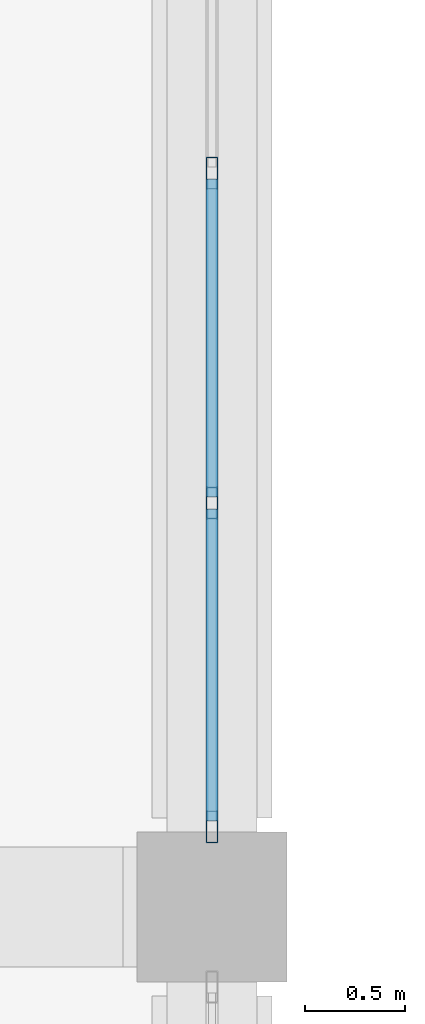
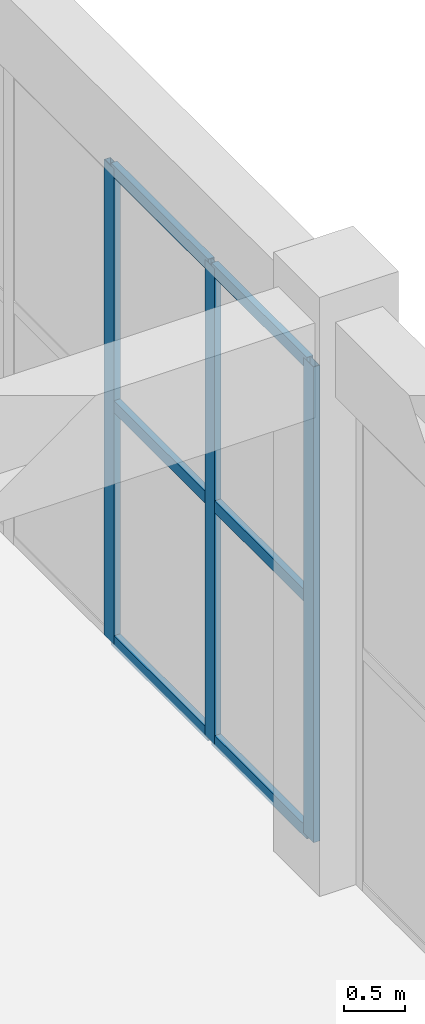
# One storey, part 50 of 91: 9 members, 1 element without a shape of its own.
"""IFC4 building model written with IfcOpenShell, lengths in metres."""

from ifc_helpers import new_model, si_unit, direction, frame, origin, origin_2d, place, context, subcontext, project, spatial, hollow_rectangle, extrude, material, layer, layer_set, material_profile, profile_set, type_object, element, aggregate, save


model = new_model("IFC4")

# Units and contexts
model_context = context("Model", 3, precision=1e-05, world=origin(), true_north=direction((0.0, 1.0)))
body_context = subcontext(model_context, "Body", "Model", "MODEL_VIEW")
ifc_project = project(units=[si_unit("LENGTHUNIT", "METRE"), si_unit("AREAUNIT", "SQUARE_METRE"), si_unit("VOLUMEUNIT", "CUBIC_METRE"), si_unit("PLANEANGLEUNIT", "RADIAN"), si_unit("MASSUNIT", "GRAM", prefix="KILO")], contexts=[model_context])

# Site, building, storey
site_placement = place(None, origin())
site = spatial("IfcSite", under=ifc_project, at=site_placement, CompositionType="ELEMENT")
building_placement = place(site_placement, origin())
building = spatial("IfcBuilding", under=site, at=building_placement, Name="Dornveld Trade and Exhibition Forum", CompositionType="ELEMENT")
storey_placement = place(building_placement, origin())
storey = spatial("IfcBuildingStorey", under=building, at=storey_placement, Name="L00", CompositionType="ELEMENT", Elevation=0.0)

# Curtain wall, members
ifc_material_1 = material(Name="Dark-bronze anodised aluminium and low-E glass", Category="aluminium")
ifc_layer = layer(ifc_material_1, 0.180908203125)
ifc_layer_set = layer_set([ifc_layer], Name="Dark-bronze anodised aluminium and low-E glass")
curtain_wall_type = type_object("IfcCurtainWallType", Name="CW-SYS-13", PredefinedType="USERDEFINED", material=ifc_layer_set)
curtain_wall_placement = place(storey_placement, origin())
curtain_wall = element("IfcCurtainWall", 1, at=curtain_wall_placement, inside=storey, type_object=curtain_wall_type, Name="L00 unitised curtain wall 103", ObjectType="UNITISED_CURTAIN_WALL", PredefinedType="USERDEFINED")
ifc_material_2 = material(Name="Dark-bronze anodised aluminium", Category="aluminium")
ifc_material_profile_1 = material_profile(ifc_material_2, hollow_rectangle(XDim=0.06005859375, YDim=0.159912109375, WallThickness=0.00390625, at=origin_2d()), Name="RHS 160x60x4")
ifc_profile_set_1 = profile_set([ifc_material_profile_1], Name="Dark-bronze anodised aluminium")
member_type_1 = type_object("IfcMemberType", Name="CW-MUL-160", PredefinedType="MULLION", material=ifc_profile_set_1)
member_1_placement = place(storey_placement, frame((216.0, 135.40087890625, -0.00390625), z_axis=(0.0, 0.0, 1.0), x_axis=(-1.0, 0.0, 0.0)))
member_1 = element("IfcMember", 2, at=member_1_placement, type_object=member_type_1, Name="CW-13 mullion 1", PredefinedType="MULLION", context=body_context, shape_type="SweptSolid", body=[
    extrude(hollow_rectangle(XDim=0.06005859375, YDim=0.159912109375, WallThickness=0.00390625, at=origin_2d()), origin(), (0.0, 0.0, 1.0), 4.763916015625),
])
member_2_placement = place(storey_placement, frame((216.0, 137.022705078125, -0.00390625), z_axis=(0.0, 0.0, 1.0), x_axis=(-1.0, 0.0, 0.0)))
member_2 = element("IfcMember", 3, at=member_2_placement, type_object=member_type_1, Name="CW-13 mullion 2", PredefinedType="MULLION", context=body_context, shape_type="SweptSolid", body=[
    extrude(hollow_rectangle(XDim=0.06005859375, YDim=0.159912109375, WallThickness=0.00390625, at=origin_2d()), origin(), (0.0, 0.0, 1.0), 4.763916015625),
])
member_3_placement = place(storey_placement, frame((216.0, 138.67431640625, -0.00390625), z_axis=(0.0, 0.0, 1.0), x_axis=(-1.0, 0.0, 0.0)))
member_3 = element("IfcMember", 4, at=member_3_placement, type_object=member_type_1, Name="CW-13 mullion 3", PredefinedType="MULLION", context=body_context, shape_type="SweptSolid", body=[
    extrude(hollow_rectangle(XDim=0.06005859375, YDim=0.159912109375, WallThickness=0.00390625, at=origin_2d()), origin(), (0.0, 0.0, 1.0), 4.763916015625),
])
ifc_material_3 = material(Name="Dark-bronze anodised aluminium", Category="aluminium")
ifc_material_profile_2 = material_profile(ifc_material_3, hollow_rectangle(XDim=0.06005859375, YDim=0.1201171875, WallThickness=0.00390625, at=origin_2d()), Name="RHS 120x60x4")
ifc_profile_set_2 = profile_set([ifc_material_profile_2], Name="Dark-bronze anodised aluminium")
member_type_2 = type_object("IfcMemberType", Name="CW-TRN-120", PredefinedType="USERDEFINED", material=ifc_profile_set_2)
member_4_placement = place(storey_placement, frame((216.0, 135.430908203125, 0.02587890625), z_axis=(0.0, 1.0, 0.0), x_axis=(-1.0, 0.0, 0.0)))
member_4 = element("IfcMember", 5, at=member_4_placement, type_object=member_type_2, Name="CW-13 transom 1.1", ObjectType="TRANSOM", PredefinedType="USERDEFINED", context=body_context, shape_type="SweptSolid", body=[
    extrude(hollow_rectangle(XDim=0.06005859375, YDim=0.1201171875, WallThickness=0.00390625, at=origin_2d()), origin(), (0.0, 0.0, 1.0), 1.561767578125),
])
member_5_placement = place(storey_placement, frame((216.0, 135.430908203125, 2.3779296875), z_axis=(0.0, 1.0, 0.0), x_axis=(-1.0, 0.0, 0.0)))
member_5 = element("IfcMember", 6, at=member_5_placement, type_object=member_type_2, Name="CW-13 transom 1.2", ObjectType="TRANSOM", PredefinedType="USERDEFINED", context=body_context, shape_type="SweptSolid", body=[
    extrude(hollow_rectangle(XDim=0.06005859375, YDim=0.1201171875, WallThickness=0.00390625, at=origin_2d()), origin(), (0.0, 0.0, 1.0), 1.561767578125),
])
member_6_placement = place(storey_placement, frame((216.0, 135.430908203125, 4.72998046875), z_axis=(0.0, 1.0, 0.0), x_axis=(-1.0, 0.0, 0.0)))
member_6 = element("IfcMember", 7, at=member_6_placement, type_object=member_type_2, Name="CW-13 transom 1.3", ObjectType="TRANSOM", PredefinedType="USERDEFINED", context=body_context, shape_type="SweptSolid", body=[
    extrude(hollow_rectangle(XDim=0.06005859375, YDim=0.1201171875, WallThickness=0.00390625, at=origin_2d()), origin(), (0.0, 0.0, 1.0), 1.561767578125),
])
member_7_placement = place(storey_placement, frame((216.0, 137.052490234375, 0.02587890625), z_axis=(0.0, 1.0, 0.0), x_axis=(-1.0, 0.0, 0.0)))
member_7 = element("IfcMember", 8, at=member_7_placement, type_object=member_type_2, Name="CW-13 transom 2.1", ObjectType="TRANSOM", PredefinedType="USERDEFINED", context=body_context, shape_type="SweptSolid", body=[
    extrude(hollow_rectangle(XDim=0.06005859375, YDim=0.1201171875, WallThickness=0.00390625, at=origin_2d()), origin(), (0.0, 0.0, 1.0), 1.591796875),
])
member_8_placement = place(storey_placement, frame((216.0, 137.052490234375, 2.3779296875), z_axis=(0.0, 1.0, 0.0), x_axis=(-1.0, 0.0, 0.0)))
member_8 = element("IfcMember", 9, at=member_8_placement, type_object=member_type_2, Name="CW-13 transom 2.2", ObjectType="TRANSOM", PredefinedType="USERDEFINED", context=body_context, shape_type="SweptSolid", body=[
    extrude(hollow_rectangle(XDim=0.06005859375, YDim=0.1201171875, WallThickness=0.00390625, at=origin_2d()), origin(), (0.0, 0.0, 1.0), 1.591796875),
])
member_9_placement = place(storey_placement, frame((216.0, 137.052490234375, 4.72998046875), z_axis=(0.0, 1.0, 0.0), x_axis=(-1.0, 0.0, 0.0)))
member_9 = element("IfcMember", 10, at=member_9_placement, type_object=member_type_2, Name="CW-13 transom 2.3", ObjectType="TRANSOM", PredefinedType="USERDEFINED", context=body_context, shape_type="SweptSolid", body=[
    extrude(hollow_rectangle(XDim=0.06005859375, YDim=0.1201171875, WallThickness=0.00390625, at=origin_2d()), origin(), (0.0, 0.0, 1.0), 1.591796875),
])
aggregate(curtain_wall, [member_1, member_2, member_3, member_4, member_5, member_6, member_7, member_8, member_9])

save(model, "model.ifc")
